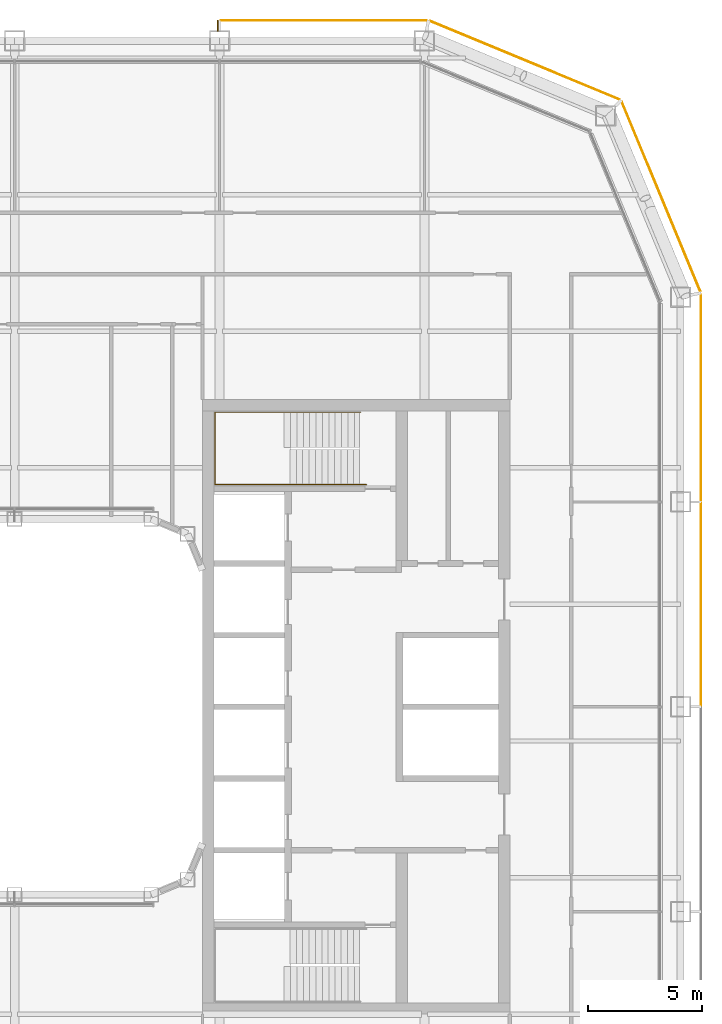
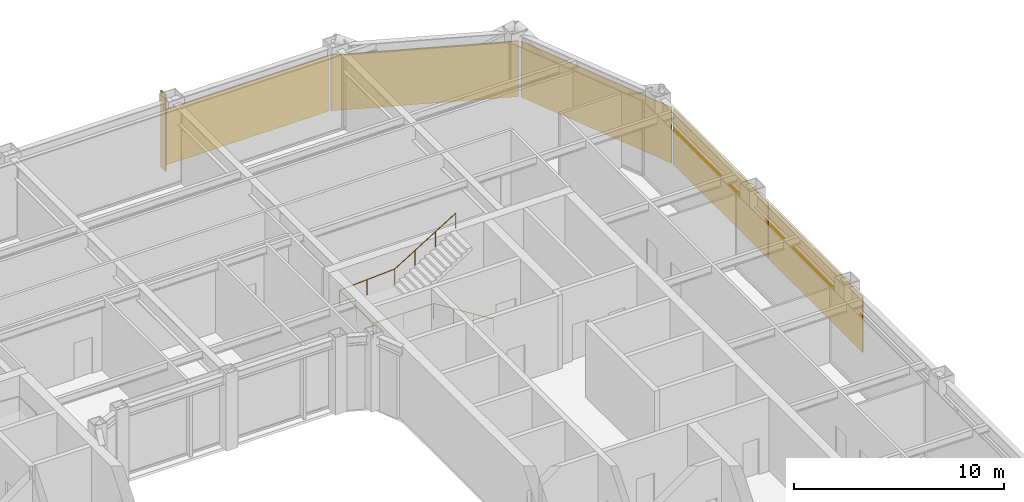
# One storey, part 21 of 21: 6 coverings, 1 railing.
"""IFC4 building model written with IfcOpenShell, lengths in metres."""

from ifc_helpers import new_model, si_unit, direction, frame, origin, origin_2d, place, context, subcontext, project, spatial, rectangle, circle, extrude, material, layer, layer_set, type_object, element, save


model = new_model("IFC4")

# Units and contexts
model_context = context("Model", 3, precision=1e-05, world=origin(), true_north=direction((0.0, 1.0)))
body_context = subcontext(model_context, "Body", "Model", "MODEL_VIEW")
ifc_project = project(units=[si_unit("LENGTHUNIT", "METRE"), si_unit("AREAUNIT", "SQUARE_METRE"), si_unit("VOLUMEUNIT", "CUBIC_METRE"), si_unit("PLANEANGLEUNIT", "RADIAN"), si_unit("MASSUNIT", "GRAM", prefix="KILO")], contexts=[model_context])

# Site, building, storey
site_placement = place(None, origin())
site = spatial("IfcSite", under=ifc_project, at=site_placement, CompositionType="ELEMENT")
building_placement = place(site_placement, origin())
building = spatial("IfcBuilding", under=site, at=building_placement, Name="Siwar Civic Tower", CompositionType="ELEMENT")
storey_placement = place(building_placement, frame((0.0, 0.0, 176.699951171875)))
storey = spatial("IfcBuildingStorey", under=building, at=storey_placement, Name="L38", CompositionType="ELEMENT", Elevation=176.699951171875)

# Railing
ifc_material_1 = material(Name="Stainless steel", Category="steel")
railing_type = type_object("IfcRailingType", Name="CORE-STAIR-HANDRAIL", PredefinedType="HANDRAIL", material=ifc_material_1)
railing_placement = place(storey_placement, frame((15.449951171875, 9.758056640625, 0.173095703125)))
element("IfcRailing", 1, at=railing_placement, inside=storey, type_object=railing_type, Name="Stair handrail ST3", PredefinedType="HANDRAIL", context=body_context, shape_type="SweptSolid", body=[
    extrude(circle(Radius=0.02001953125, at=origin_2d()), frame((0.0, 0.0, 0.8798828125), z_axis=(-0.847063342986, 0.0, 0.531491950051), x_axis=(0.0, -1.0, 0.0)), (0.0, 0.0, 1.0), 3.90771484375),
    extrude(circle(Radius=0.02001953125, at=origin_2d()), frame((-3.31005859375, 0.0, 2.956787109375), z_axis=(-1.0, 0.0, 0.0), x_axis=(0.0, -1.0, 0.0)), (0.0, 0.0, 1.0), 3.331787109375),
    extrude(circle(Radius=0.02001953125, at=origin_2d()), frame((-6.641845703125, 0.0, 2.956787109375), z_axis=(0.0, 1.0, 0.0), x_axis=(-1.0, 0.0, 0.0)), (0.0, 0.0, 1.0), 3.183837890625),
    extrude(circle(Radius=0.02001953125, at=origin_2d()), frame((-6.641845703125, 3.183837890625, 2.956787109375), z_axis=(0.99837434197, 0.0, 0.056997134106), x_axis=(0.0, 1.0, 0.0)), (0.0, 0.0, 1.0), 3.036865234375),
    extrude(circle(Radius=0.02001953125, at=origin_2d()), frame((-3.60986328125, 3.183837890625, 3.1298828125), z_axis=(0.850606129759, 0.0, 0.525803396734), x_axis=(0.0, 1.0, 0.0)), (0.0, 0.0, 1.0), 3.949951171875),
    extrude(circle(Radius=0.02001953125, at=origin_2d()), origin(), (0.0, 0.0, 1.0), 0.85986328125),
    extrude(circle(Radius=0.02001953125, at=origin_2d()), frame((-1.103271484375, 0.0, 0.6923828125)), (0.0, 0.0, 1.0), 0.85986328125),
    extrude(circle(Radius=0.02001953125, at=origin_2d()), frame((-2.206787109375, 0.0, 1.384521484375)), (0.0, 0.0, 1.0), 0.85986328125),
    extrude(circle(Radius=0.02001953125, at=origin_2d()), frame((-3.31005859375, 0.0, 2.076904296875)), (0.0, 0.0, 1.0), 0.85986328125),
    extrude(circle(Radius=0.02001953125, at=origin_2d()), frame((-4.97607421875, 0.0, 2.076904296875)), (0.0, 0.0, 1.0), 0.85986328125),
    extrude(circle(Radius=0.02001953125, at=origin_2d()), frame((-6.641845703125, 0.0, 2.076904296875)), (0.0, 0.0, 1.0), 0.85986328125),
    extrude(circle(Radius=0.02001953125, at=origin_2d()), frame((-6.641845703125, 1.591796875, 2.076904296875)), (0.0, 0.0, 1.0), 0.85986328125),
    extrude(circle(Radius=0.02001953125, at=origin_2d()), frame((-6.641845703125, 3.183837890625, 2.076904296875)), (0.0, 0.0, 1.0), 0.85986328125),
    extrude(circle(Radius=0.02001953125, at=origin_2d()), frame((-5.1259765625, 3.183837890625, 2.16357421875)), (0.0, 0.0, 1.0), 0.85986328125),
    extrude(circle(Radius=0.02001953125, at=origin_2d()), frame((-3.60986328125, 3.183837890625, 2.25)), (0.0, 0.0, 1.0), 0.85986328125),
    extrude(circle(Radius=0.02001953125, at=origin_2d()), frame((-2.489990234375, 3.183837890625, 2.9423828125)), (0.0, 0.0, 1.0), 0.85986328125),
    extrude(circle(Radius=0.02001953125, at=origin_2d()), frame((-1.369873046875, 3.183837890625, 3.634521484375)), (0.0, 0.0, 1.0), 0.85986328125),
    extrude(circle(Radius=0.02001953125, at=origin_2d()), frame((-0.25, 3.183837890625, 4.326904296875)), (0.0, 0.0, 1.0), 0.85986328125),
])

# Coverings
ifc_material_2 = material(Name="Perforated aluminium cassette, pale metal", Category="aluminium")
ifc_layer_1 = layer(ifc_material_2, 0.0400390625)
ifc_layer_set_1 = layer_set([ifc_layer_1], Name="Perforated aluminium cassette, pale metal")
covering_type_1 = type_object("IfcCoveringType", Name="ENV-OUTER SKIN OS-1", PredefinedType="CLADDING", material=ifc_layer_set_1)
covering_1_placement = place(storey_placement, frame((30.14990234375, 4.5, -0.14990234375), z_axis=(0.0, 0.0, 1.0), x_axis=(0.0, 1.0, 0.0)))
element("IfcCovering", 2, at=covering_1_placement, inside=storey, type_object=covering_type_1, Name="OUTER SKIN OS-1 E 3", PredefinedType="CLADDING", context=body_context, shape_type="SweptSolid", body=[
    extrude(rectangle(XDim=8.89990234375, YDim=0.0400390625, at=origin_2d()), origin(), (0.0, 0.0, 1.0), 3.25),
])
covering_2_placement = place(storey_placement, frame((30.14990234375, 13.57958984375, -0.14990234375), z_axis=(0.0, 0.0, 1.0), x_axis=(0.0, 1.0, 0.0)))
element("IfcCovering", 3, at=covering_2_placement, inside=storey, type_object=covering_type_1, Name="OUTER SKIN OS-1 E 4", PredefinedType="CLADDING", context=body_context, shape_type="SweptSolid", body=[
    extrude(rectangle(XDim=9.05908203125, YDim=0.0400390625, at=origin_2d()), origin(), (0.0, 0.0, 1.0), 3.25),
])
for number, where, z_axis, x_axis, name in (
    (4, (28.39697265625, 22.411376953125, -0.14990234375), (0.0, 0.0, 1.0), (-0.382683432365, 0.923879532511, 0.0), "OUTER SKIN OS-1 NE1 1"),
    (5, (22.411376953125, 28.39697265625, -0.14990234375), (0.0, 0.0, 1.0), (-0.923879532511, 0.382683432365, 0.0), "OUTER SKIN OS-1 NE2 1"),
):
    element("IfcCovering", number, at=place(storey_placement, frame(where, z_axis=z_axis, x_axis=x_axis)), inside=storey, type_object=covering_type_1, Name=name, PredefinedType="CLADDING", context=body_context, shape_type="SweptSolid", body=[
        extrude(rectangle(XDim=9.022216796875, YDim=0.0400390625, at=origin_2d()), origin(), (0.0, 0.0, 1.0), 3.25),
    ])
covering_3_placement = place(storey_placement, frame((13.57958984375, 30.14990234375, -0.14990234375), z_axis=(0.0, 0.0, 1.0), x_axis=(-1.0, 0.0, 0.0)))
element("IfcCovering", 6, at=covering_3_placement, inside=storey, type_object=covering_type_1, Name="OUTER SKIN OS-1 N 1", PredefinedType="CLADDING", context=body_context, shape_type="SweptSolid", body=[
    extrude(rectangle(XDim=9.05908203125, YDim=0.0400390625, at=origin_2d()), origin(), (0.0, 0.0, 1.0), 3.25),
])
ifc_material_3 = material(Name="Perforated aluminium cassette, pale metal", Category="aluminium")
ifc_layer_2 = layer(ifc_material_3, 0.050048828125)
ifc_layer_set_2 = layer_set([ifc_layer_2], Name="Perforated aluminium cassette, pale metal")
covering_type_2 = type_object("IfcCoveringType", Name="ENV-PORTAL FRAME", PredefinedType="CLADDING", material=ifc_layer_set_2)
covering_4_placement = place(storey_placement, frame((8.925048828125, 29.9150390625, -0.14990234375), z_axis=(0.0, 0.0, 1.0), x_axis=(1.0, 0.0, 0.0)))
element("IfcCovering", 7, at=covering_4_placement, inside=storey, type_object=covering_type_2, Name="PORTAL FRAME return plate N L38", PredefinedType="CLADDING", context=body_context, shape_type="SweptSolid", body=[
    extrude(rectangle(XDim=0.050048828125, YDim=0.469970703125, at=origin_2d()), origin(), (0.0, 0.0, 1.0), 4.449951171875),
])

save(model, "model.ifc")
